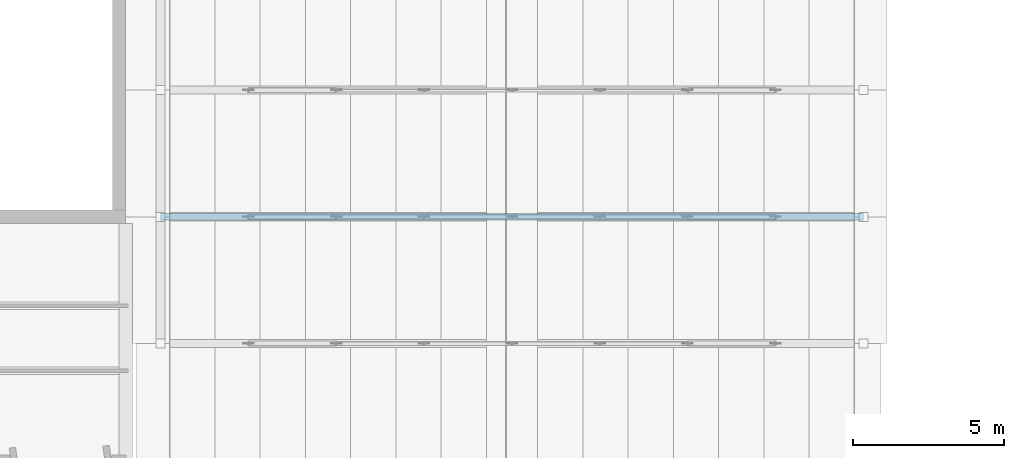
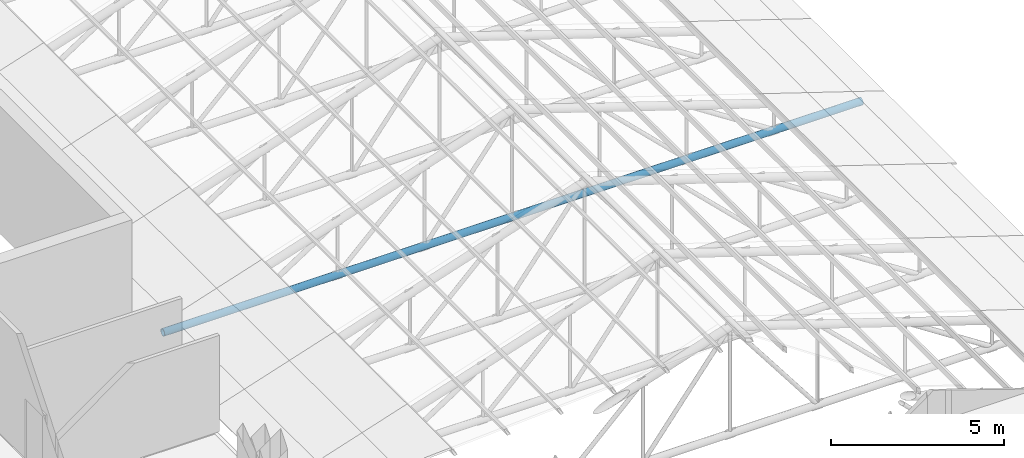
# One storey, part 21 of 95: 1 member.
"""IFC4 building model written with IfcOpenShell, lengths in metres."""

from ifc_helpers import new_model, si_unit, direction, frame, origin, origin_2d, place, context, subcontext, project, spatial, hollow_circle, extrude, material, material_profile, profile_set, type_object, element, save


model = new_model("IFC4")

# Units and contexts
model_context = context("Model", 3, precision=1e-05, world=origin(), true_north=direction((0.0, 1.0)))
body_context = subcontext(model_context, "Body", "Model", "MODEL_VIEW")
ifc_project = project(units=[si_unit("LENGTHUNIT", "METRE"), si_unit("AREAUNIT", "SQUARE_METRE"), si_unit("VOLUMEUNIT", "CUBIC_METRE"), si_unit("PLANEANGLEUNIT", "RADIAN"), si_unit("MASSUNIT", "GRAM", prefix="KILO")], contexts=[model_context])

# Site, building, storey
site_placement = place(None, origin())
site = spatial("IfcSite", under=ifc_project, at=site_placement, CompositionType="ELEMENT")
building_placement = place(site_placement, origin())
building = spatial("IfcBuilding", under=site, at=building_placement, Name="Kiln Court Media Centre", CompositionType="ELEMENT")
storey_placement = place(building_placement, frame((0.0, 0.0, 24.60009765625)))
storey = spatial("IfcBuildingStorey", under=building, at=storey_placement, Name="L05", CompositionType="ELEMENT", Elevation=24.60009765625)

# Member
ifc_material = material(Name="Steel ASTM A500 Gr C", Category="steel")
ifc_material_profile = material_profile(ifc_material, hollow_circle(Radius=0.122314453125, WallThickness=0.010009765625, at=origin_2d()), Name="CHS 244.5x10.0")
ifc_profile_set = profile_set([ifc_material_profile], Name="Steel ASTM A500 Gr C")
member_type = type_object("IfcMemberType", Name="Steel ASTM A500 Gr C CHS 244.5x10.0 truss chord", PredefinedType="CHORD", material=ifc_profile_set)
member_placement = place(storey_placement, frame((34.75, 42.0, -0.013916015625), z_axis=(1.0, 0.0, 0.0), x_axis=(0.0, 1.0, 0.0)))
element("IfcMember", 1, at=member_placement, inside=storey, type_object=member_type, Name="foyer truss FT-05 bottom chord truss chord", PredefinedType="CHORD", context=body_context, shape_type="SweptSolid", body=[
    extrude(hollow_circle(Radius=0.122314453125, WallThickness=0.010009765625, at=origin_2d()), origin(), (0.0, 0.0, 1.0), 23.300048828125),
])

save(model, "model.ifc")
